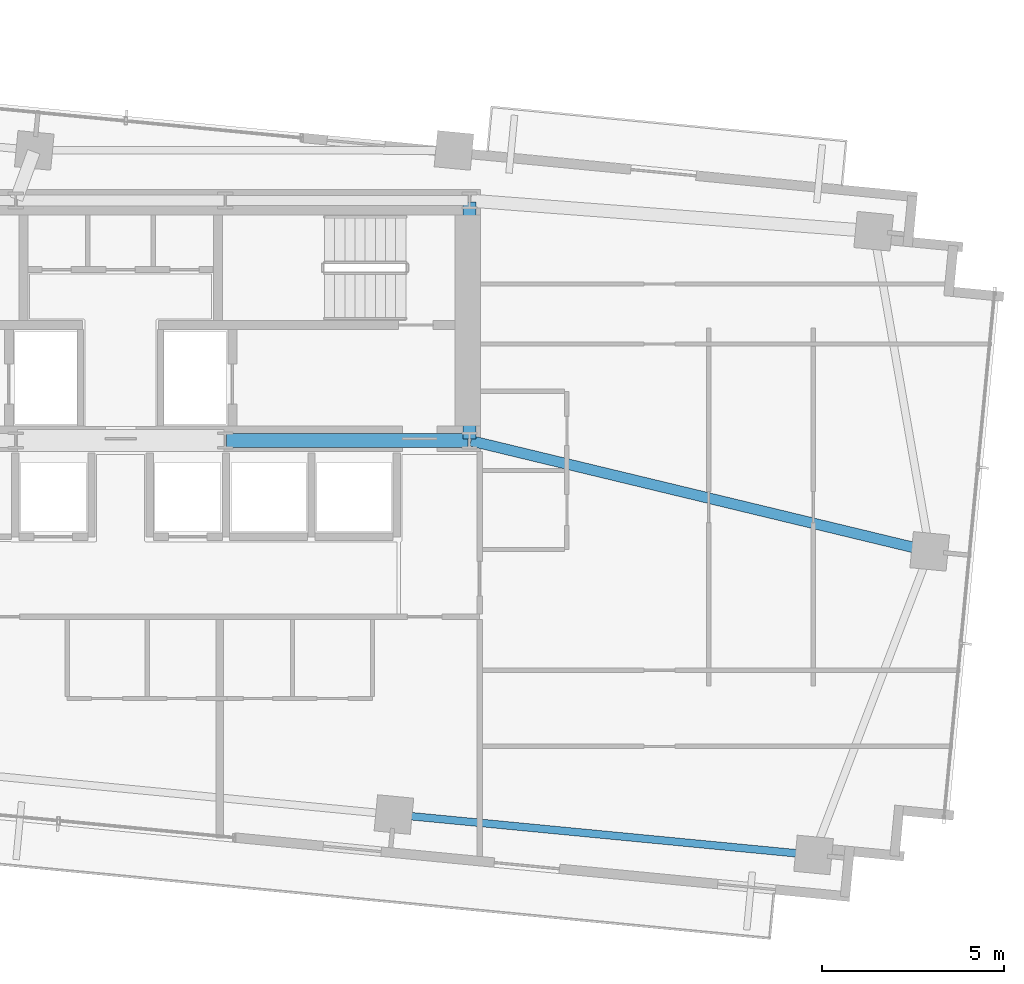
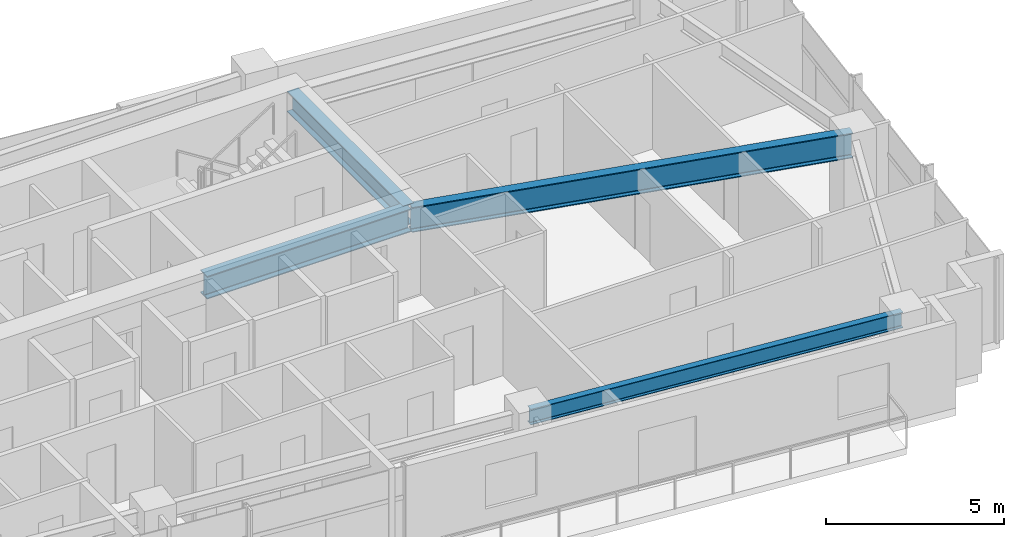
# One storey, part 9 of 19: 4 beams.
"""IFC4 building model written with IfcOpenShell, lengths in metres."""

from ifc_helpers import new_model, si_unit, direction, frame, origin, origin_2d, place, context, subcontext, project, spatial, i_section, extrude, source, transform, mapped, material, material_profile, profile_set, type_object, type_shapes, element, save


model = new_model("IFC4")

# Units and contexts
model_context = context("Model", 3, precision=1e-05, world=origin(), true_north=direction((0.0, 1.0)))
body_context = subcontext(model_context, "Body", "Model", "MODEL_VIEW")
ifc_project = project(units=[si_unit("LENGTHUNIT", "METRE"), si_unit("AREAUNIT", "SQUARE_METRE"), si_unit("VOLUMEUNIT", "CUBIC_METRE"), si_unit("PLANEANGLEUNIT", "RADIAN"), si_unit("MASSUNIT", "GRAM", prefix="KILO")], contexts=[model_context])

# Site, building, storey
site_placement = place(None, origin())
site = spatial("IfcSite", under=ifc_project, at=site_placement, CompositionType="ELEMENT")
building_placement = place(site_placement, origin())
building = spatial("IfcBuilding", under=site, at=building_placement, Name="Astriad Promenade Condominiums", CompositionType="ELEMENT")
storey_placement = place(building_placement, frame((0.0, 0.0, 150.199951171875)))
storey = spatial("IfcBuildingStorey", under=building, at=storey_placement, Name="L43", CompositionType="ELEMENT", Elevation=150.199951171875)

# Beams
ifc_material = material(Name="Steel ASTM A992 Grade 50", Category="steel")
ifc_material_profile_1 = material_profile(ifc_material, i_section(OverallWidth=0.3837890625, OverallDepth=0.785888671875, WebThickness=0.019775390625, FlangeThickness=0.033447265625, FilletRadius=0.021484375, at=origin_2d()), Name="W30X211")
ifc_profile_set_1 = profile_set([ifc_material_profile_1], Name="Steel ASTM A992 Grade 50")
beam_type_1 = type_object("IfcBeamType", Name="STEEL FLOOR GIRDER W30X211", PredefinedType="BEAM", material=ifc_profile_set_1)
shared_shape_1 = source(origin(), body_context, "Body", "SweptSolid", [
    extrude(i_section(OverallWidth=0.3837890625, OverallDepth=0.785888671875, WebThickness=0.019775390625, FlangeThickness=0.033447265625, FilletRadius=0.021484375, at=origin_2d()), origin(), (0.0, 0.0, 1.0), 6.64013671875),
])
type_shapes(beam_type_1, [shared_shape_1])
beam_1_placement = place(storey_placement, frame((38.919921875, 17.39990234375, 2.547119140625), z_axis=(1.0, 0.0, 0.0), x_axis=(0.0, 1.0, 0.0)))
element("IfcBeam", 1, at=beam_1_placement, inside=storey, type_object=beam_type_1, Name="Core Ring Beam CG-S3-L43", PredefinedType="BEAM", context=body_context, shape_type="MappedRepresentation", body=[
    mapped(shared_shape_1, transform((0.0, 0.0, 0.0), scale=1.0)),
])
ifc_material_profile_2 = material_profile(ifc_material, i_section(OverallWidth=0.35791015625, OverallDepth=0.706298828125, WebThickness=0.018310546875, FlangeThickness=0.0302734375, FilletRadius=0.020263671875, at=origin_2d()), Name="W27X178")
ifc_profile_set_2 = profile_set([ifc_material_profile_2], Name="Steel ASTM A992 Grade 50")
beam_type_2 = type_object("IfcBeamType", Name="STEEL FLOOR GIRDER W27X178", PredefinedType="BEAM", material=ifc_profile_set_2)
shared_shape_2 = source(origin(), body_context, "Body", "SweptSolid", [
    extrude(i_section(OverallWidth=0.35791015625, OverallDepth=0.706298828125, WebThickness=0.018310546875, FlangeThickness=0.0302734375, FilletRadius=0.020263671875, at=origin_2d()), origin(), (0.0, 0.0, 1.0), 6.52001953125),
])
type_shapes(beam_type_2, [shared_shape_2])
beam_2_placement = place(storey_placement, frame((45.60009765625, 17.43994140625, 2.5869140625), z_axis=(0.0, 1.0, 0.0), x_axis=(-1.0, 0.0, 0.0)))
element("IfcBeam", 2, at=beam_2_placement, inside=storey, type_object=beam_type_2, Name="Core Ring Beam CG-E1-L43", PredefinedType="BEAM", context=body_context, shape_type="MappedRepresentation", body=[
    mapped(shared_shape_2, transform((0.0, 0.0, 0.0), scale=1.0)),
])
ifc_material_profile_3 = material_profile(ifc_material, i_section(OverallWidth=0.210693359375, OverallDepth=0.53955078125, WebThickness=0.01171875, FlangeThickness=0.018798828125, FilletRadius=0.0166015625, at=origin_2d()), Name="W21X73")
ifc_profile_set_3 = profile_set([ifc_material_profile_3], Name="Steel ASTM A992 Grade 50")
beam_type_3 = type_object("IfcBeamType", Name="STEEL SPANDREL BEAM W21X73", PredefinedType="SPANDREL", material=ifc_profile_set_3)
shared_shape_3 = source(origin(), body_context, "Body", "SweptSolid", [
    extrude(i_section(OverallWidth=0.210693359375, OverallDepth=0.53955078125, WebThickness=0.01171875, FlangeThickness=0.018798828125, FilletRadius=0.0166015625, at=origin_2d()), origin(), (0.0, 0.0, 1.0), 11.519775390625),
])
type_shapes(beam_type_3, [shared_shape_3])
beam_3_placement = place(storey_placement, frame((43.560302734375, 7.10400390625, 2.670166015625), z_axis=(0.995397217389, -0.095835168988, 0.0), x_axis=(0.095835168988, 0.995397217389, 0.0)))
element("IfcBeam", 3, at=beam_3_placement, inside=storey, type_object=beam_type_3, Name="Perimeter Spandrel Beam SP-S4-L43", PredefinedType="SPANDREL", context=body_context, shape_type="MappedRepresentation", body=[
    mapped(shared_shape_3, transform((0.0, 0.0, 0.0), scale=1.0)),
])
ifc_material_profile_4 = material_profile(ifc_material, i_section(OverallWidth=0.2919921875, OverallDepth=0.85888671875, WebThickness=0.01708984375, FlangeThickness=0.031005859375, FilletRadius=0.02294921875, at=origin_2d()), Name="W33X169")
ifc_profile_set_4 = profile_set([ifc_material_profile_4], Name="Steel ASTM A992 Grade 50")
beam_type_4 = type_object("IfcBeamType", Name="STEEL PRIMARY GIRDER W33X169", PredefinedType="BEAM", material=ifc_profile_set_4)
shared_shape_4 = source(origin(), body_context, "Body", "SweptSolid", [
    extrude(i_section(OverallWidth=0.2919921875, OverallDepth=0.85888671875, WebThickness=0.01708984375, FlangeThickness=0.031005859375, FilletRadius=0.02294921875, at=origin_2d()), origin(), (0.0, 0.0, 1.0), 12.94482421875),
])
type_shapes(beam_type_4, [shared_shape_4])
beam_4_placement = place(storey_placement, frame((58.223388671875, 14.357666015625, 2.510498046875), z_axis=(-0.972164476402, 0.234299446908, 0.0), x_axis=(-0.234299446908, -0.972164476402, 0.0)))
element("IfcBeam", 4, at=beam_4_placement, inside=storey, type_object=beam_type_4, Name="Primary Floor Girder PG-EM-L43", PredefinedType="BEAM", context=body_context, shape_type="MappedRepresentation", body=[
    mapped(shared_shape_4, transform((0.0, 0.0, 0.0), scale=1.0)),
])

save(model, "model.ifc")
